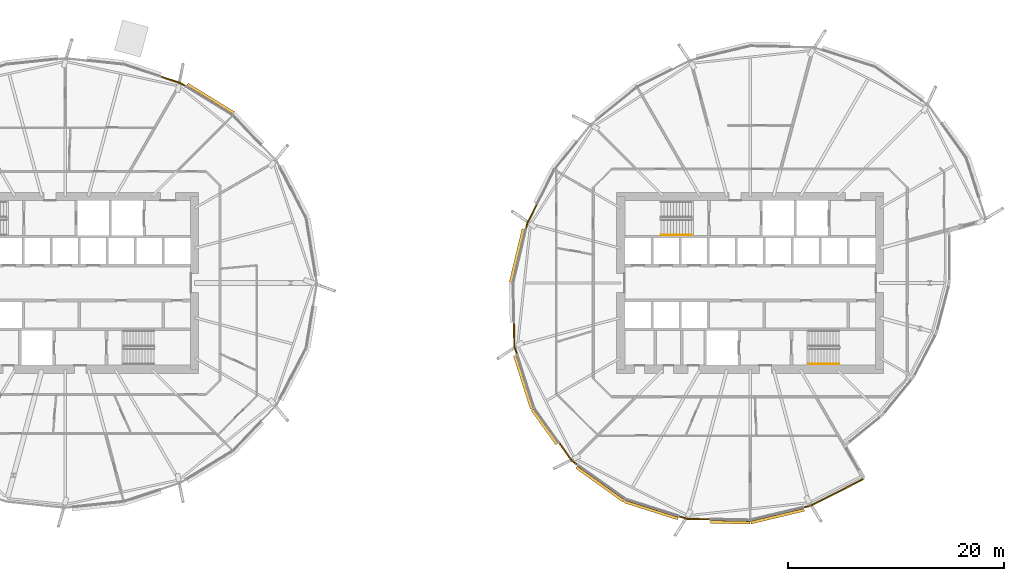
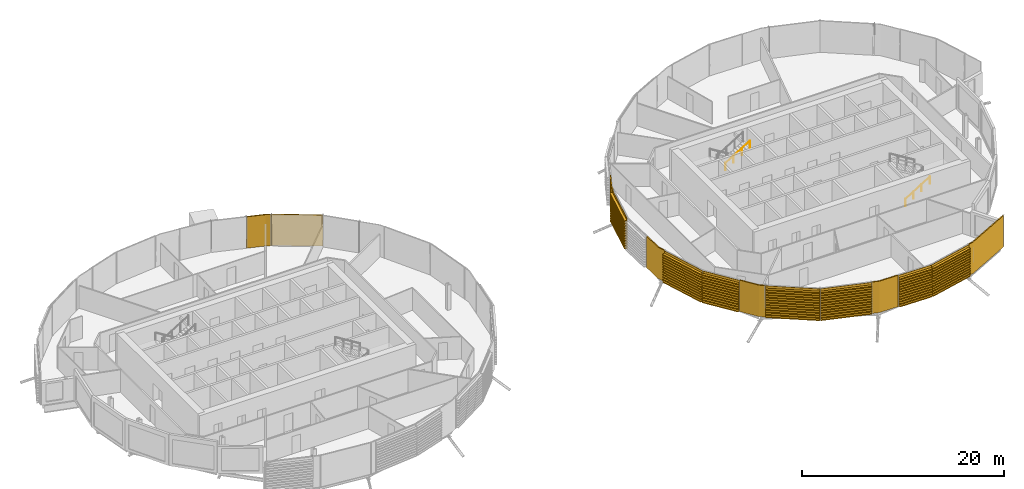
# One storey, part 36 of 38: 14 coverings, 2 railings.
"""IFC4 building model written with IfcOpenShell, lengths in metres."""

from ifc_helpers import new_model, si_unit, direction, frame, origin, origin_2d, place, context, subcontext, project, spatial, polyline, circle, outline, extrude, material, layer, layer_set, material_profile, profile_set, type_object, element, save


model = new_model("IFC4")

# Units and contexts
model_context = context("Model", 3, precision=1e-05, world=origin(), true_north=direction((0.0, 1.0)))
body_context = subcontext(model_context, "Body", "Model", "MODEL_VIEW")
ifc_project = project(units=[si_unit("LENGTHUNIT", "METRE"), si_unit("AREAUNIT", "SQUARE_METRE"), si_unit("VOLUMEUNIT", "CUBIC_METRE"), si_unit("PLANEANGLEUNIT", "RADIAN"), si_unit("MASSUNIT", "GRAM", prefix="KILO")], contexts=[model_context])

# Site, building, storey
site_placement = place(None, origin())
site = spatial("IfcSite", under=ifc_project, at=site_placement, CompositionType="ELEMENT")
building_placement = place(site_placement, origin())
building = spatial("IfcBuilding", under=site, at=building_placement, Name="Rimbun Link Towers", CompositionType="ELEMENT")
storey_placement = place(building_placement, frame((0.0, 0.0, 108.199951171875)))
storey = spatial("IfcBuildingStorey", under=building, at=storey_placement, Name="L26", CompositionType="ELEMENT", Elevation=108.199951171875)

# Coverings
ifc_material_1 = material(Name="Terracotta", Category="masonry")
ifc_layer = layer(ifc_material_1, 0.1201171875)
ifc_layer_set = layer_set([ifc_layer], Name="LINK PIER terracotta cladding 120")
covering_type_1 = type_object("IfcCoveringType", Name="LINK PIER terracotta cladding 120", PredefinedType="CLADDING", material=ifc_layer_set)
covering_1_placement = place(storey_placement, origin())
element("IfcCovering", 1, at=covering_1_placement, inside=storey, type_object=covering_type_1, Name="LINK PIER cladding", PredefinedType="CLADDING", context=body_context, shape_type="SweptSolid", body=[
    extrude(outline(polyline([(-22.904541015625, 19.08154296875), (-21.08203125, 18.4775390625), (-20.59619140625, 18.17919921875), (-20.533447265625, 18.281494140625), (-21.031005859375, 18.5869140625), (-22.86669921875, 19.1953125), (-22.904541015625, 19.08154296875)])), origin(), (0.0, 0.0, 1.0), 3.800048828125),
])
covering_2_placement = place(storey_placement, origin())
element("IfcCovering", 2, at=covering_2_placement, inside=storey, type_object=covering_type_1, Name="LINK PIER cladding", PredefinedType="CLADDING", context=body_context, shape_type="SweptSolid", body=[
    extrude(outline(polyline([(11.008544921875, 4.9677734375), (11.14111328125, 5.522216796875), (12.025146484375, 7.28271484375), (11.91796875, 7.33642578125), (11.027587890625, 5.563720703125), (10.8916015625, 4.995849609375), (11.008544921875, 4.9677734375)])), origin(), (0.0, 0.0, 1.0), 3.800048828125),
])
covering_3_placement = place(storey_placement, origin())
element("IfcCovering", 3, at=covering_3_placement, inside=storey, type_object=covering_type_1, Name="LINK PIER cladding", PredefinedType="CLADDING", context=body_context, shape_type="SweptSolid", body=[
    extrude(outline(polyline([(10.19189453125, -6.62451171875), (9.943603515625, -5.843017578125), (9.897705078125, -3.673583984375), (9.77783203125, -3.676025390625), (9.823974609375, -5.86279296875), (10.07763671875, -6.660888671875), (10.19189453125, -6.62451171875)])), origin(), (0.0, 0.0, 1.0), 3.800048828125),
])
covering_4_placement = place(storey_placement, origin())
element("IfcCovering", 4, at=covering_4_placement, inside=storey, type_object=covering_type_1, Name="LINK PIER cladding", PredefinedType="CLADDING", context=body_context, shape_type="SweptSolid", body=[
    extrude(outline(polyline([(15.79052734375, -16.82470703125), (15.28662109375, -16.46337890625), (14.079833984375, -14.781494140625), (13.982421875, -14.8515625), (15.20068359375, -16.54931640625), (15.720458984375, -16.92236328125), (15.79052734375, -16.82470703125)])), origin(), (0.0, 0.0, 1.0), 3.800048828125),
])
covering_5_placement = place(storey_placement, origin())
element("IfcCovering", 5, at=covering_5_placement, inside=storey, type_object=covering_type_1, Name="LINK PIER cladding", PredefinedType="CLADDING", context=body_context, shape_type="SweptSolid", body=[
    extrude(outline(polyline([(28.026611328125, -21.85107421875), (25.906982421875, -21.806396484375), (25.173095703125, -21.5732421875), (25.136962890625, -21.6875), (25.88720703125, -21.926025390625), (28.02392578125, -21.97119140625), (28.026611328125, -21.85107421875)])), origin(), (0.0, 0.0, 1.0), 3.800048828125),
])
covering_6_placement = place(storey_placement, origin())
element("IfcCovering", 6, at=covering_6_placement, inside=storey, type_object=covering_type_1, Name="LINK PIER cladding", PredefinedType="CLADDING", context=body_context, shape_type="SweptSolid", body=[
    extrude(outline(polyline([(42.1884765625, -18.139892578125), (37.272216796875, -20.60888671875), (36.7177734375, -20.741455078125), (36.745849609375, -20.8583984375), (37.313720703125, -20.722412109375), (42.242431640625, -18.247314453125), (42.1884765625, -18.139892578125)])), origin(), (0.0, 0.0, 1.0), 3.800048828125),
])

# Railings
ifc_material_2 = material(Name="Stainless steel grade 316", Category="steel")
railing_type = type_object("IfcRailingType", Name="Stair handrail", PredefinedType="HANDRAIL", material=ifc_material_2)
for number, where, name in (
    (7, (23.5, 4.449951171875, 2.07275390625), "L26 ST3 stair handrail 2"),
    (8, (37.199951171875, -7.5, 0.1728515625), "L26 ST4 stair handrail 1"),
):
    element("IfcRailing", number, at=place(storey_placement, frame(where)), inside=storey, type_object=railing_type, Name=name, PredefinedType="HANDRAIL", context=body_context, shape_type="SweptSolid", body=[
        extrude(circle(Radius=0.02392578125, at=origin_2d()), frame((0.0, 0.0, 0.8759765625), z_axis=(0.851089632645, 0.0, 0.525020415988), x_axis=(0.0, 1.0, 0.0)), (0.0, 0.0, 1.0), 3.2900390625),
        extrude(circle(Radius=0.02099609375, at=origin_2d()), origin(), (0.0, 0.0, 1.0), 0.851806640625),
        extrude(circle(Radius=0.02099609375, at=origin_2d()), frame((0.933349609375, 0.0, 0.57568359375)), (0.0, 0.0, 1.0), 0.851806640625),
        extrude(circle(Radius=0.02099609375, at=origin_2d()), frame((1.86669921875, 0.0, 1.151611328125)), (0.0, 0.0, 1.0), 0.851806640625),
        extrude(circle(Radius=0.02099609375, at=origin_2d()), frame((2.800048828125, 0.0, 1.727294921875)), (0.0, 0.0, 1.0), 0.851806640625),
    ])

# Coverings
ifc_material_3 = material(Name="Terracotta", Category="masonry")
ifc_material_profile = material_profile(ifc_material_3, outline(polyline([(0.123046875, 0.0), (0.1630859375, 0.0), (0.1630859375, 0.10009765625), (0.423095703125, 0.10009765625), (0.423095703125, 0.219970703125), (0.1630859375, 0.219970703125), (0.1630859375, 0.39990234375), (0.423095703125, 0.39990234375), (0.423095703125, 0.52001953125), (0.1630859375, 0.52001953125), (0.1630859375, 0.699951171875), (0.423095703125, 0.699951171875), (0.423095703125, 0.820068359375), (0.1630859375, 0.820068359375), (0.1630859375, 1.0), (0.423095703125, 1.0), (0.423095703125, 1.1201171875), (0.1630859375, 1.1201171875), (0.1630859375, 1.300048828125), (0.423095703125, 1.300048828125), (0.423095703125, 1.419921875), (0.1630859375, 1.419921875), (0.1630859375, 1.60009765625), (0.423095703125, 1.60009765625), (0.423095703125, 1.719970703125), (0.1630859375, 1.719970703125), (0.1630859375, 1.89990234375), (0.423095703125, 1.89990234375), (0.423095703125, 2.02001953125), (0.1630859375, 2.02001953125), (0.1630859375, 2.199951171875), (0.423095703125, 2.199951171875), (0.423095703125, 2.320068359375), (0.1630859375, 2.320068359375), (0.1630859375, 2.5), (0.423095703125, 2.5), (0.423095703125, 2.6201171875), (0.1630859375, 2.6201171875), (0.1630859375, 2.800048828125), (0.423095703125, 2.800048828125), (0.423095703125, 2.919921875), (0.1630859375, 2.919921875), (0.1630859375, 3.10009765625), (0.423095703125, 3.10009765625), (0.423095703125, 3.219970703125), (0.1630859375, 3.219970703125), (0.1630859375, 3.39990234375), (0.423095703125, 3.39990234375), (0.423095703125, 3.52001953125), (0.1630859375, 3.52001953125), (0.1630859375, 3.800048828125), (0.123046875, 3.800048828125), (0.123046875, 0.0)])), Name="BAGUETTE 120X300")
ifc_profile_set = profile_set([ifc_material_profile], Name="Terracotta")
covering_type_2 = type_object("IfcCoveringType", Name="TERRACOTTA BAGUETTE 120X300 H3800", PredefinedType="CLADDING", material=ifc_profile_set)
for number, where, z_axis, x_axis, name in (
    (9, (-20.57080078125, 18.16357421875, 0.0), (0.852187774371, -0.523236081719, 0.0), (0.523236081719, 0.852187774371, 0.0), "TERRACOTTA BAGUETTE"),
    (10, (9.8203125, 0.0, 0.0), (0.232601883749, 0.972572035212, 0.0), (-0.972572035212, 0.232601883749, 0.0), "TERRACOTTA BAGUETTE"),
):
    element("IfcCovering", number, at=place(storey_placement, frame(where, z_axis=z_axis, x_axis=x_axis)), inside=storey, type_object=covering_type_2, Name=name, PredefinedType="CLADDING", context=body_context, shape_type="SweptSolid", body=[
        extrude(outline(polyline([(0.123046875, 0.0), (0.1630859375, 0.0), (0.1630859375, 0.10009765625), (0.423095703125, 0.10009765625), (0.423095703125, 0.219970703125), (0.1630859375, 0.219970703125), (0.1630859375, 0.39990234375), (0.423095703125, 0.39990234375), (0.423095703125, 0.52001953125), (0.1630859375, 0.52001953125), (0.1630859375, 0.699951171875), (0.423095703125, 0.699951171875), (0.423095703125, 0.820068359375), (0.1630859375, 0.820068359375), (0.1630859375, 1.0), (0.423095703125, 1.0), (0.423095703125, 1.1201171875), (0.1630859375, 1.1201171875), (0.1630859375, 1.300048828125), (0.423095703125, 1.300048828125), (0.423095703125, 1.419921875), (0.1630859375, 1.419921875), (0.1630859375, 1.60009765625), (0.423095703125, 1.60009765625), (0.423095703125, 1.719970703125), (0.1630859375, 1.719970703125), (0.1630859375, 1.89990234375), (0.423095703125, 1.89990234375), (0.423095703125, 2.02001953125), (0.1630859375, 2.02001953125), (0.1630859375, 2.199951171875), (0.423095703125, 2.199951171875), (0.423095703125, 2.320068359375), (0.1630859375, 2.320068359375), (0.1630859375, 2.5), (0.423095703125, 2.5), (0.423095703125, 2.6201171875), (0.1630859375, 2.6201171875), (0.1630859375, 2.800048828125), (0.423095703125, 2.800048828125), (0.423095703125, 2.919921875), (0.1630859375, 2.919921875), (0.1630859375, 3.10009765625), (0.423095703125, 3.10009765625), (0.423095703125, 3.219970703125), (0.1630859375, 3.219970703125), (0.1630859375, 3.39990234375), (0.423095703125, 3.39990234375), (0.423095703125, 3.52001953125), (0.1630859375, 3.52001953125), (0.1630859375, 3.800048828125), (0.123046875, 3.800048828125), (0.123046875, 0.0)])), origin(), (0.0, 0.0, 1.0), 5.077880859375),
    ])
covering_7_placement = place(storey_placement, frame((11.75634765625, -11.54345703125, 0.0), z_axis=(-0.303052449014, 0.952973878523, 0.0), x_axis=(-0.952973878523, -0.303052449014, 0.0)))
element("IfcCovering", 11, at=covering_7_placement, inside=storey, type_object=covering_type_2, Name="TERRACOTTA BAGUETTE", PredefinedType="CLADDING", context=body_context, shape_type="SweptSolid", body=[
    extrude(outline(polyline([(0.123046875, 0.0), (0.1630859375, 0.0), (0.1630859375, 0.10009765625), (0.423095703125, 0.10009765625), (0.423095703125, 0.219970703125), (0.1630859375, 0.219970703125), (0.1630859375, 0.39990234375), (0.423095703125, 0.39990234375), (0.423095703125, 0.52001953125), (0.1630859375, 0.52001953125), (0.1630859375, 0.699951171875), (0.423095703125, 0.699951171875), (0.423095703125, 0.820068359375), (0.1630859375, 0.820068359375), (0.1630859375, 1.0), (0.423095703125, 1.0), (0.423095703125, 1.1201171875), (0.1630859375, 1.1201171875), (0.1630859375, 1.300048828125), (0.423095703125, 1.300048828125), (0.423095703125, 1.419921875), (0.1630859375, 1.419921875), (0.1630859375, 1.60009765625), (0.423095703125, 1.60009765625), (0.423095703125, 1.719970703125), (0.1630859375, 1.719970703125), (0.1630859375, 1.89990234375), (0.423095703125, 1.89990234375), (0.423095703125, 2.02001953125), (0.1630859375, 2.02001953125), (0.1630859375, 2.199951171875), (0.423095703125, 2.199951171875), (0.423095703125, 2.320068359375), (0.1630859375, 2.320068359375), (0.1630859375, 2.5), (0.423095703125, 2.5), (0.423095703125, 2.6201171875), (0.1630859375, 2.6201171875), (0.1630859375, 2.800048828125), (0.423095703125, 2.800048828125), (0.423095703125, 2.919921875), (0.1630859375, 2.919921875), (0.1630859375, 3.10009765625), (0.423095703125, 3.10009765625), (0.423095703125, 3.219970703125), (0.1630859375, 3.219970703125), (0.1630859375, 3.39990234375), (0.423095703125, 3.39990234375), (0.423095703125, 3.52001953125), (0.1630859375, 3.52001953125), (0.1630859375, 3.800048828125), (0.123046875, 3.800048828125), (0.123046875, 0.0)])), origin(), (0.0, 0.0, 1.0), 5.131591796875),
])
covering_8_placement = place(storey_placement, frame((14.0625, -14.757080078125, 0.0), z_axis=(-0.583029233752, 0.812451175512, 0.0), x_axis=(-0.812451175512, -0.583029233752, 0.0)))
element("IfcCovering", 12, at=covering_8_placement, inside=storey, type_object=covering_type_2, Name="TERRACOTTA BAGUETTE", PredefinedType="CLADDING", context=body_context, shape_type="SweptSolid", body=[
    extrude(outline(polyline([(0.123046875, 0.0), (0.1630859375, 0.0), (0.1630859375, 0.10009765625), (0.423095703125, 0.10009765625), (0.423095703125, 0.219970703125), (0.1630859375, 0.219970703125), (0.1630859375, 0.39990234375), (0.423095703125, 0.39990234375), (0.423095703125, 0.52001953125), (0.1630859375, 0.52001953125), (0.1630859375, 0.699951171875), (0.423095703125, 0.699951171875), (0.423095703125, 0.820068359375), (0.1630859375, 0.820068359375), (0.1630859375, 1.0), (0.423095703125, 1.0), (0.423095703125, 1.1201171875), (0.1630859375, 1.1201171875), (0.1630859375, 1.300048828125), (0.423095703125, 1.300048828125), (0.423095703125, 1.419921875), (0.1630859375, 1.419921875), (0.1630859375, 1.60009765625), (0.423095703125, 1.60009765625), (0.423095703125, 1.719970703125), (0.1630859375, 1.719970703125), (0.1630859375, 1.89990234375), (0.423095703125, 1.89990234375), (0.423095703125, 2.02001953125), (0.1630859375, 2.02001953125), (0.1630859375, 2.199951171875), (0.423095703125, 2.199951171875), (0.423095703125, 2.320068359375), (0.1630859375, 2.320068359375), (0.1630859375, 2.5), (0.423095703125, 2.5), (0.423095703125, 2.6201171875), (0.1630859375, 2.6201171875), (0.1630859375, 2.800048828125), (0.423095703125, 2.800048828125), (0.423095703125, 2.919921875), (0.1630859375, 2.919921875), (0.1630859375, 3.10009765625), (0.423095703125, 3.10009765625), (0.423095703125, 3.219970703125), (0.1630859375, 3.219970703125), (0.1630859375, 3.39990234375), (0.423095703125, 3.39990234375), (0.423095703125, 3.52001953125), (0.1630859375, 3.52001953125), (0.1630859375, 3.800048828125), (0.123046875, 3.800048828125), (0.123046875, 0.0)])), origin(), (0.0, 0.0, 1.0), 3.95556640625),
])
covering_9_placement = place(storey_placement, frame((20.20654296875, -19.99365234375, 0.0), z_axis=(-0.812477325977, 0.582992791356, 0.0), x_axis=(-0.582992791356, -0.812477325977, 0.0)))
element("IfcCovering", 13, at=covering_9_placement, inside=storey, type_object=covering_type_2, Name="TERRACOTTA BAGUETTE", PredefinedType="CLADDING", context=body_context, shape_type="SweptSolid", body=[
    extrude(outline(polyline([(0.123046875, 0.0), (0.1630859375, 0.0), (0.1630859375, 0.10009765625), (0.423095703125, 0.10009765625), (0.423095703125, 0.219970703125), (0.1630859375, 0.219970703125), (0.1630859375, 0.39990234375), (0.423095703125, 0.39990234375), (0.423095703125, 0.52001953125), (0.1630859375, 0.52001953125), (0.1630859375, 0.699951171875), (0.423095703125, 0.699951171875), (0.423095703125, 0.820068359375), (0.1630859375, 0.820068359375), (0.1630859375, 1.0), (0.423095703125, 1.0), (0.423095703125, 1.1201171875), (0.1630859375, 1.1201171875), (0.1630859375, 1.300048828125), (0.423095703125, 1.300048828125), (0.423095703125, 1.419921875), (0.1630859375, 1.419921875), (0.1630859375, 1.60009765625), (0.423095703125, 1.60009765625), (0.423095703125, 1.719970703125), (0.1630859375, 1.719970703125), (0.1630859375, 1.89990234375), (0.423095703125, 1.89990234375), (0.423095703125, 2.02001953125), (0.1630859375, 2.02001953125), (0.1630859375, 2.199951171875), (0.423095703125, 2.199951171875), (0.423095703125, 2.320068359375), (0.1630859375, 2.320068359375), (0.1630859375, 2.5), (0.423095703125, 2.5), (0.423095703125, 2.6201171875), (0.1630859375, 2.6201171875), (0.1630859375, 2.800048828125), (0.423095703125, 2.800048828125), (0.423095703125, 2.919921875), (0.1630859375, 2.919921875), (0.1630859375, 3.10009765625), (0.423095703125, 3.10009765625), (0.423095703125, 3.219970703125), (0.1630859375, 3.219970703125), (0.1630859375, 3.39990234375), (0.423095703125, 3.39990234375), (0.423095703125, 3.52001953125), (0.1630859375, 3.52001953125), (0.1630859375, 3.800048828125), (0.123046875, 3.800048828125), (0.123046875, 0.0)])), origin(), (0.0, 0.0, 1.0), 5.405517578125),
])
covering_10_placement = place(storey_placement, frame((25.14453125, -21.56396484375, 0.0), z_axis=(-0.952974033405, 0.303051961973, 0.0), x_axis=(-0.303051961973, -0.952974033405, 0.0)))
element("IfcCovering", 14, at=covering_10_placement, inside=storey, type_object=covering_type_2, Name="TERRACOTTA BAGUETTE", PredefinedType="CLADDING", context=body_context, shape_type="SweptSolid", body=[
    extrude(outline(polyline([(0.123046875, 0.0), (0.1630859375, 0.0), (0.1630859375, 0.10009765625), (0.423095703125, 0.10009765625), (0.423095703125, 0.219970703125), (0.1630859375, 0.219970703125), (0.1630859375, 0.39990234375), (0.423095703125, 0.39990234375), (0.423095703125, 0.52001953125), (0.1630859375, 0.52001953125), (0.1630859375, 0.699951171875), (0.423095703125, 0.699951171875), (0.423095703125, 0.820068359375), (0.1630859375, 0.820068359375), (0.1630859375, 1.0), (0.423095703125, 1.0), (0.423095703125, 1.1201171875), (0.1630859375, 1.1201171875), (0.1630859375, 1.300048828125), (0.423095703125, 1.300048828125), (0.423095703125, 1.419921875), (0.1630859375, 1.419921875), (0.1630859375, 1.60009765625), (0.423095703125, 1.60009765625), (0.423095703125, 1.719970703125), (0.1630859375, 1.719970703125), (0.1630859375, 1.89990234375), (0.423095703125, 1.89990234375), (0.423095703125, 2.02001953125), (0.1630859375, 2.02001953125), (0.1630859375, 2.199951171875), (0.423095703125, 2.199951171875), (0.423095703125, 2.320068359375), (0.1630859375, 2.320068359375), (0.1630859375, 2.5), (0.423095703125, 2.5), (0.423095703125, 2.6201171875), (0.1630859375, 2.6201171875), (0.1630859375, 2.800048828125), (0.423095703125, 2.800048828125), (0.423095703125, 2.919921875), (0.1630859375, 2.919921875), (0.1630859375, 3.10009765625), (0.423095703125, 3.10009765625), (0.423095703125, 3.219970703125), (0.1630859375, 3.219970703125), (0.1630859375, 3.39990234375), (0.423095703125, 3.39990234375), (0.423095703125, 3.52001953125), (0.1630859375, 3.52001953125), (0.1630859375, 3.800048828125), (0.123046875, 3.800048828125), (0.123046875, 0.0)])), origin(), (0.0, 0.0, 1.0), 5.181640625),
])
covering_11_placement = place(storey_placement, frame((31.75, -21.9296875, 0.0), z_axis=(-0.999777749096, 0.021082040056, 0.0), x_axis=(-0.021082040056, -0.999777749096, 0.0)))
element("IfcCovering", 15, at=covering_11_placement, inside=storey, type_object=covering_type_2, Name="TERRACOTTA BAGUETTE", PredefinedType="CLADDING", context=body_context, shape_type="SweptSolid", body=[
    extrude(outline(polyline([(0.123046875, 0.0), (0.1630859375, 0.0), (0.1630859375, 0.10009765625), (0.423095703125, 0.10009765625), (0.423095703125, 0.219970703125), (0.1630859375, 0.219970703125), (0.1630859375, 0.39990234375), (0.423095703125, 0.39990234375), (0.423095703125, 0.52001953125), (0.1630859375, 0.52001953125), (0.1630859375, 0.699951171875), (0.423095703125, 0.699951171875), (0.423095703125, 0.820068359375), (0.1630859375, 0.820068359375), (0.1630859375, 1.0), (0.423095703125, 1.0), (0.423095703125, 1.1201171875), (0.1630859375, 1.1201171875), (0.1630859375, 1.300048828125), (0.423095703125, 1.300048828125), (0.423095703125, 1.419921875), (0.1630859375, 1.419921875), (0.1630859375, 1.60009765625), (0.423095703125, 1.60009765625), (0.423095703125, 1.719970703125), (0.1630859375, 1.719970703125), (0.1630859375, 1.89990234375), (0.423095703125, 1.89990234375), (0.423095703125, 2.02001953125), (0.1630859375, 2.02001953125), (0.1630859375, 2.199951171875), (0.423095703125, 2.199951171875), (0.423095703125, 2.320068359375), (0.1630859375, 2.320068359375), (0.1630859375, 2.5), (0.423095703125, 2.5), (0.423095703125, 2.6201171875), (0.1630859375, 2.6201171875), (0.1630859375, 2.800048828125), (0.423095703125, 2.800048828125), (0.423095703125, 2.919921875), (0.1630859375, 2.919921875), (0.1630859375, 3.10009765625), (0.423095703125, 3.10009765625), (0.423095703125, 3.219970703125), (0.1630859375, 3.219970703125), (0.1630859375, 3.39990234375), (0.423095703125, 3.39990234375), (0.423095703125, 3.52001953125), (0.1630859375, 3.52001953125), (0.1630859375, 3.800048828125), (0.123046875, 3.800048828125), (0.123046875, 0.0)])), origin(), (0.0, 0.0, 1.0), 3.694091796875),
])
covering_12_placement = place(storey_placement, frame((36.688720703125, -20.74853515625, 0.0), z_axis=(-0.972572035212, -0.232601883749, 0.0), x_axis=(0.232601883749, -0.972572035212, 0.0)))
element("IfcCovering", 16, at=covering_12_placement, inside=storey, type_object=covering_type_2, Name="TERRACOTTA BAGUETTE", PredefinedType="CLADDING", context=body_context, shape_type="SweptSolid", body=[
    extrude(outline(polyline([(0.123046875, 0.0), (0.1630859375, 0.0), (0.1630859375, 0.10009765625), (0.423095703125, 0.10009765625), (0.423095703125, 0.219970703125), (0.1630859375, 0.219970703125), (0.1630859375, 0.39990234375), (0.423095703125, 0.39990234375), (0.423095703125, 0.52001953125), (0.1630859375, 0.52001953125), (0.1630859375, 0.699951171875), (0.423095703125, 0.699951171875), (0.423095703125, 0.820068359375), (0.1630859375, 0.820068359375), (0.1630859375, 1.0), (0.423095703125, 1.0), (0.423095703125, 1.1201171875), (0.1630859375, 1.1201171875), (0.1630859375, 1.300048828125), (0.423095703125, 1.300048828125), (0.423095703125, 1.419921875), (0.1630859375, 1.419921875), (0.1630859375, 1.60009765625), (0.423095703125, 1.60009765625), (0.423095703125, 1.719970703125), (0.1630859375, 1.719970703125), (0.1630859375, 1.89990234375), (0.423095703125, 1.89990234375), (0.423095703125, 2.02001953125), (0.1630859375, 2.02001953125), (0.1630859375, 2.199951171875), (0.423095703125, 2.199951171875), (0.423095703125, 2.320068359375), (0.1630859375, 2.320068359375), (0.1630859375, 2.5), (0.423095703125, 2.5), (0.423095703125, 2.6201171875), (0.1630859375, 2.6201171875), (0.1630859375, 2.800048828125), (0.423095703125, 2.800048828125), (0.423095703125, 2.919921875), (0.1630859375, 2.919921875), (0.1630859375, 3.10009765625), (0.423095703125, 3.10009765625), (0.423095703125, 3.219970703125), (0.1630859375, 3.219970703125), (0.1630859375, 3.39990234375), (0.423095703125, 3.39990234375), (0.423095703125, 3.52001953125), (0.1630859375, 3.52001953125), (0.1630859375, 3.800048828125), (0.123046875, 3.800048828125), (0.123046875, 0.0)])), origin(), (0.0, 0.0, 1.0), 5.077880859375),
])

save(model, "model.ifc")
